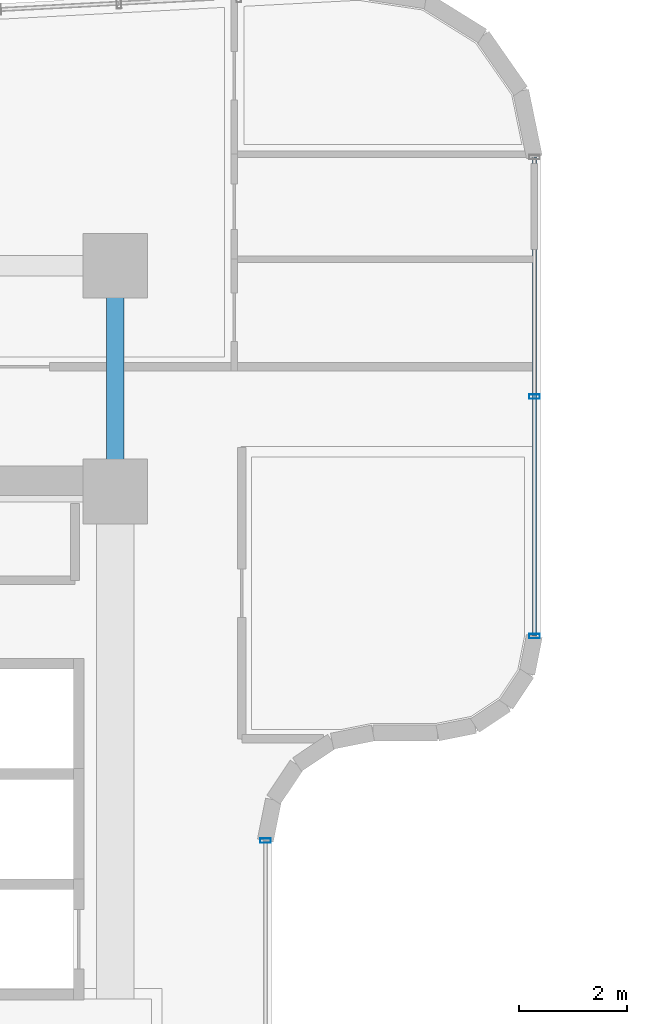
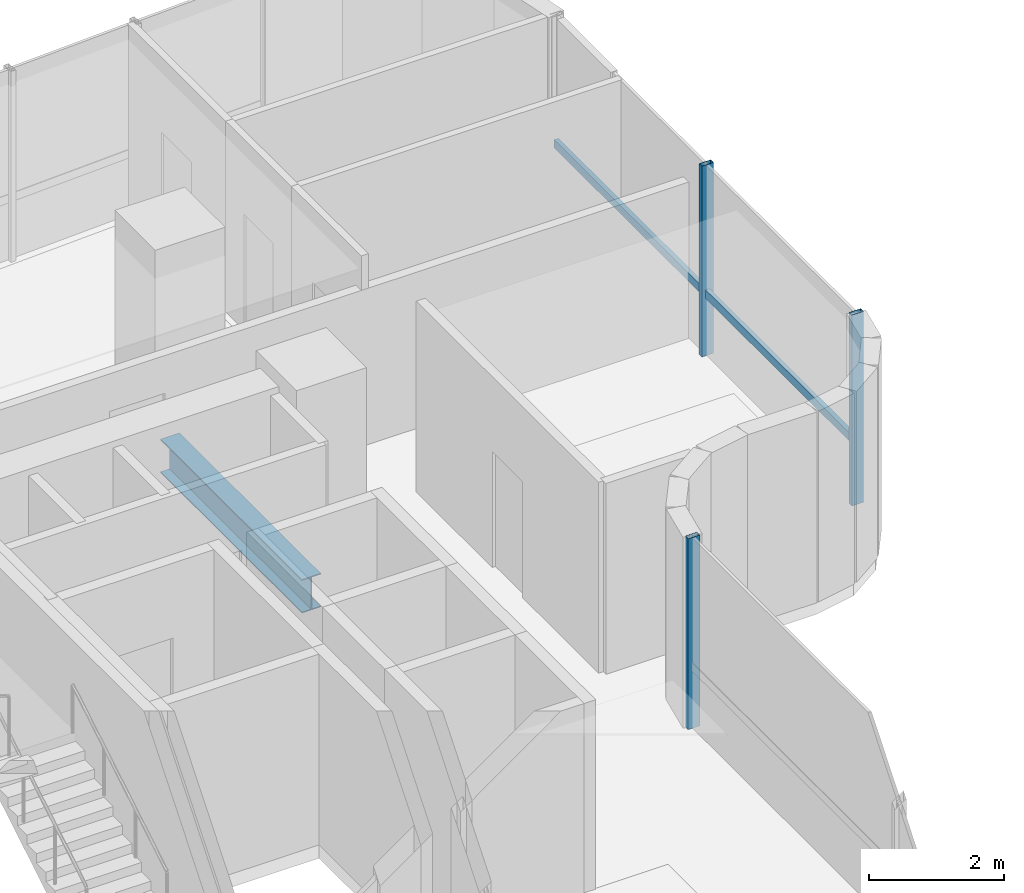
# One storey, part 12 of 34: 4 members, 1 beam, 2 elements without a shape of their own.
"""IFC4 building model written with IfcOpenShell, lengths in metres."""

from ifc_helpers import new_model, si_unit, direction, frame, origin, origin_2d, place, context, subcontext, project, spatial, hollow_rectangle, i_section, extrude, source, transform, mapped, material, material_profile, profile_set, type_object, element, aggregate, save


model = new_model("IFC4")

# Units and contexts
model_context = context("Model", 3, precision=1e-05, world=origin(), true_north=direction((0.0, 1.0)))
body_context = subcontext(model_context, "Body", "Model", "MODEL_VIEW")
ifc_project = project(units=[si_unit("LENGTHUNIT", "METRE"), si_unit("AREAUNIT", "SQUARE_METRE"), si_unit("VOLUMEUNIT", "CUBIC_METRE"), si_unit("PLANEANGLEUNIT", "RADIAN"), si_unit("MASSUNIT", "GRAM", prefix="KILO")], contexts=[model_context])

# Site, building, storey
site_placement = place(None, origin())
site = spatial("IfcSite", under=ifc_project, at=site_placement, CompositionType="ELEMENT")
building_placement = place(site_placement, origin())
building = spatial("IfcBuilding", under=site, at=building_placement, Name="Valdorenza Pilgrim Sanctuary Tower", CompositionType="ELEMENT")
storey_placement = place(building_placement, frame((0.0, 0.0, 164.89990234375)))
storey = spatial("IfcBuildingStorey", under=building, at=storey_placement, Name="L42", CompositionType="ELEMENT", Elevation=164.89990234375)

# Beam
ifc_material_1 = material(Name="Steel ASTM A992 Grade 50", Category="steel")
ifc_material_profile_1 = material_profile(ifc_material_1, i_section(OverallWidth=0.323974609375, OverallDepth=0.611083984375, WebThickness=0.0126953125, FlangeThickness=0.01904296875, at=origin_2d()), Name="W24X104")
ifc_profile_set_1 = profile_set([ifc_material_profile_1], Name="Steel ASTM A992 Grade 50")
beam_type = type_object("IfcBeamType", Name="STR-BM-GRD-W24B", PredefinedType="BEAM", material=ifc_profile_set_1)
shared_shape_1 = source(origin(), body_context, "Body", "SweptSolid", [
    extrude(i_section(OverallWidth=0.323974609375, OverallDepth=0.611083984375, WebThickness=0.0126953125, FlangeThickness=0.01904296875, at=origin_2d()), origin(), (0.0, 0.0, 1.0), 4.199951171875),
])
beam_placement = place(storey_placement, frame((-12.39990234375, 10.60009765625, -0.54541015625), z_axis=(0.0, 1.0, 0.0), x_axis=(-1.0, 0.0, 0.0)))
element("IfcBeam", 1, at=beam_placement, inside=storey, type_object=beam_type, Name="L42 Core Tie Girder CA-E-N1N2", PredefinedType="BEAM", context=body_context, shape_type="MappedRepresentation", body=[
    mapped(shared_shape_1, transform((0.0, 0.0, 0.0), x_axis=(1.0, 0.0, 0.0), y_axis=(0.0, 1.0, 0.0), z_axis=(0.0, 0.0, 1.0), scale=1.0)),
])

# Curtain wall, members
ifc_material_2 = material(Name="Curtain-wall IGU glazing", Category="glass")
curtain_wall_type = type_object("IfcCurtainWallType", Name="CW-SYS-02", PredefinedType="NOTDEFINED", material=ifc_material_2)
curtain_wall_1_placement = place(storey_placement, origin())
curtain_wall_1 = element("IfcCurtainWall", 2, at=curtain_wall_1_placement, inside=storey, type_object=curtain_wall_type, Name="L42 Curtain Wall CW-L42-1-11", PredefinedType="NOTDEFINED")
ifc_material_3 = material(Name="Anodised aluminium AW-6060", Category="aluminium")
ifc_material_profile_2 = material_profile(ifc_material_3, hollow_rectangle(XDim=0.0849609375, YDim=0.199951171875, WallThickness=0.0048828125, at=origin_2d()), Name="ALU-M 200x85x5")
ifc_profile_set_2 = profile_set([ifc_material_profile_2], Name="Anodised aluminium AW-6060")
member_type_1 = type_object("IfcMemberType", Name="CW-MUL-02", PredefinedType="MULLION", material=ifc_profile_set_2)
shared_shape_2 = source(origin(), body_context, "Body", "SweptSolid", [
    extrude(hollow_rectangle(XDim=0.0849609375, YDim=0.199951171875, WallThickness=0.0048828125, at=origin_2d()), origin(), (0.0, 0.0, 1.0), 3.460205078125),
])
member_1_placement = place(storey_placement, frame((-4.610107421875, 12.363037109375, 0.0), z_axis=(0.0, 0.0, 1.0), x_axis=(0.0, -1.0, 0.0)))
member_1 = element("IfcMember", 3, at=member_1_placement, type_object=member_type_1, Name="CW-L42-1-11 Mullion 2", PredefinedType="MULLION", context=body_context, shape_type="MappedRepresentation", body=[
    mapped(shared_shape_2, transform((0.0, 0.0, 0.0), x_axis=(1.0, 0.0, 0.0), y_axis=(0.0, 1.0, 0.0), z_axis=(0.0, 0.0, 1.0), scale=1.0)),
])
member_2_placement = place(storey_placement, frame((-4.610107421875, 7.910888671875, 0.0), z_axis=(0.0, 0.0, 1.0), x_axis=(0.0, -1.0, 0.0)))
member_2 = element("IfcMember", 4, at=member_2_placement, type_object=member_type_1, Name="CW-L42-1-11 Mullion 3", PredefinedType="MULLION", context=body_context, shape_type="MappedRepresentation", body=[
    mapped(shared_shape_2, transform((0.0, 0.0, 0.0), x_axis=(1.0, 0.0, 0.0), y_axis=(0.0, 1.0, 0.0), z_axis=(0.0, 0.0, 1.0), scale=1.0)),
])

# Curtain wall, member
curtain_wall_2_placement = place(storey_placement, origin())
curtain_wall_2 = element("IfcCurtainWall", 5, at=curtain_wall_2_placement, inside=storey, type_object=curtain_wall_type, Name="L42 Curtain Wall CW-L42-1-21", PredefinedType="NOTDEFINED")
member_3_placement = place(storey_placement, frame((-9.610107421875, 4.11083984375, 0.0), z_axis=(0.0, 0.0, 1.0), x_axis=(0.0, -1.0, 0.0)))
member_3 = element("IfcMember", 6, at=member_3_placement, type_object=member_type_1, Name="CW-L42-1-21 Mullion 1", PredefinedType="MULLION", context=body_context, shape_type="MappedRepresentation", body=[
    mapped(shared_shape_2, transform((0.0, 0.0, 0.0), x_axis=(1.0, 0.0, 0.0), y_axis=(0.0, 1.0, 0.0), z_axis=(0.0, 0.0, 1.0), scale=1.0)),
])
aggregate(curtain_wall_2, [member_3])

# Member
ifc_material_profile_3 = material_profile(ifc_material_3, hollow_rectangle(XDim=0.074951171875, YDim=0.14990234375, WallThickness=0.00390625, at=origin_2d()), Name="ALU-T 150x75x4")
ifc_profile_set_3 = profile_set([ifc_material_profile_3], Name="Anodised aluminium AW-6060")
member_type_2 = type_object("IfcMemberType", Name="CW-TRN-02", PredefinedType="USERDEFINED", material=ifc_profile_set_3)
shared_shape_3 = source(origin(), body_context, "Body", "SweptSolid", [
    extrude(hollow_rectangle(XDim=0.074951171875, YDim=0.14990234375, WallThickness=0.00390625, at=origin_2d()), origin(), (0.0, 0.0, 1.0), 8.904296875),
])
member_4_placement = place(storey_placement, frame((-4.610107421875, 16.815185546875, 1.1201171875), z_axis=(0.0, -1.0, 0.0), x_axis=(1.0, 0.0, 0.0)))
member_4 = element("IfcMember", 7, at=member_4_placement, type_object=member_type_2, Name="CW-L42-1-11 Transom 1", ObjectType="TRANSOM", PredefinedType="USERDEFINED", context=body_context, shape_type="MappedRepresentation", body=[
    mapped(shared_shape_3, transform((0.0, 0.0, 0.0), x_axis=(1.0, 0.0, 0.0), y_axis=(0.0, 1.0, 0.0), z_axis=(0.0, 0.0, 1.0), scale=1.0)),
])

aggregate(curtain_wall_1, [member_1, member_2, member_4])

save(model, "model.ifc")
